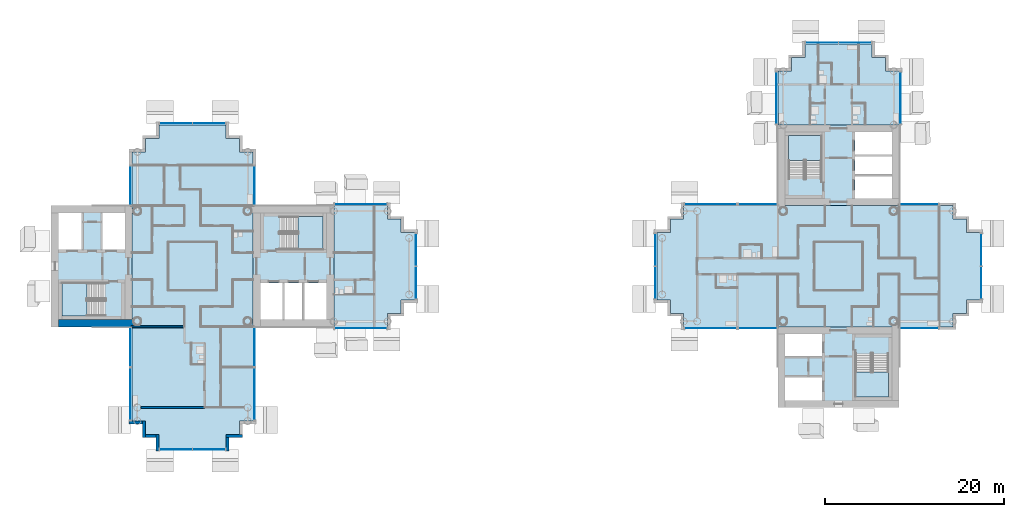
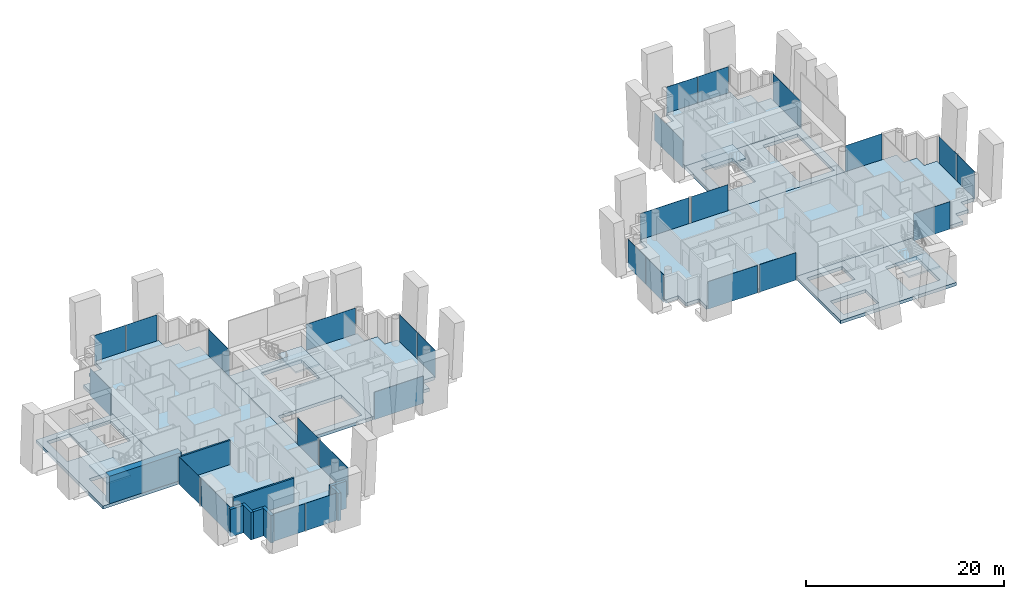
# One storey, part 5 of 18: 28 plates, 12 slabs, 9 walls, 26 elements without a shape of their own.
"""IFC4 building model written with IfcOpenShell, lengths in metres."""

import ifcopenshell
import ifcopenshell.guid

model = None  # the IFC model being written
_history = None  # IfcOwnerHistory: only IFC2X3 demands one
_inside = {}  # id of a spatial element -> (the spatial element, [elements in it])
_under = {}  # id of a project, library or spatial element -> (it, [spatial elements below it])
_declared = {}  # id of a project -> (the project, [libraries it declares])
_typed = {}  # id of a type object -> (the type object, [elements of that type])
_made_of = {}  # id of a material, layer set ... -> (it, [elements and type objects made of it])


def new_model(schema):
    """Start an empty IFC model of exactly this schema.

    Asked for "IFC4X3", IfcOpenShell would pick the latest addendum, in which some entities
    have other attributes; the version numbers below select the first issue.
    IFC2X3 requires an IfcOwnerHistory on every rooted entity: one is made here for all.
    """
    global model, _history
    if schema == "IFC4X3":
        model = ifcopenshell.file(schema_version=(4, 3, 0, 0))
    else:
        model = ifcopenshell.file(schema=schema)
    _inside.clear()
    _under.clear()
    _declared.clear()
    _typed.clear()
    _made_of.clear()
    _history = None
    if model.schema == "IFC2X3":
        org = make("IfcOrganization", Name="unknown")
        user = make(
            "IfcPersonAndOrganization",
            ThePerson=make("IfcPerson", FamilyName="unknown"),
            TheOrganization=org,
        )
        app = make(
            "IfcApplication",
            ApplicationDeveloper=org,
            Version="unknown",
            ApplicationFullName="unknown",
            ApplicationIdentifier="unknown",
        )
        _history = make(
            "IfcOwnerHistory",
            OwningUser=user,
            OwningApplication=app,
            ChangeAction="ADDED",
            CreationDate=0,
        )
    return model


def make(cls, **values):
    """One entity of the class cls with the attributes given. An attribute that is None is left unset."""
    return model.create_entity(
        cls, **{name: value for name, value in values.items() if value is not None}
    )


def rooted(cls, **values):
    """An entity with a GlobalId (a new one), such as an element, a storey or a relation."""
    return make(cls, GlobalId=ifcopenshell.guid.new(), OwnerHistory=_history, **values)


def si_unit(unit_type, name, prefix=None):
    """IfcSIUnit, for example si_unit("LENGTHUNIT", "METRE", prefix="MILLI")."""
    return make("IfcSIUnit", UnitType=unit_type, Prefix=prefix, Name=name)


def assignment(units):
    """IfcUnitAssignment: the units of a project."""
    return None if units is None else make("IfcUnitAssignment", Units=units)


def point(xyz):
    """IfcCartesianPoint."""
    return None if xyz is None else make("IfcCartesianPoint", Coordinates=xyz)


def direction(xyz):
    """IfcDirection."""
    return None if xyz is None else make("IfcDirection", DirectionRatios=xyz)


def frame(location, z_axis=None, x_axis=None):
    """IfcAxis2Placement3D, a coordinate frame: its origin and axes. An axis left out is left unset."""
    return make(
        "IfcAxis2Placement3D",
        Location=point(location),
        Axis=direction(z_axis),
        RefDirection=direction(x_axis),
    )


def frame_2d(location, x_axis=None):
    """IfcAxis2Placement2D, a coordinate frame in the plane: its origin and x axis."""
    return make(
        "IfcAxis2Placement2D", Location=point(location), RefDirection=direction(x_axis)
    )


def origin():
    """The frame at (0, 0, 0) with its axes left unset."""
    return frame((0.0, 0.0, 0.0))


def origin_2d():
    """The frame at (0, 0) in the plane with its x axis left unset."""
    return frame_2d((0.0, 0.0))


def place(relative_to, where):
    """IfcLocalPlacement: puts the frame where relative to a parent placement (None: the world)."""
    return make(
        "IfcLocalPlacement", PlacementRelTo=relative_to, RelativePlacement=where
    )


def context(
    kind, dimensions, precision=None, world=None, true_north=None, identifier=None
):
    """IfcGeometricRepresentationContext, for example the 3D "Model" context."""
    return make(
        "IfcGeometricRepresentationContext",
        ContextIdentifier=identifier,
        ContextType=kind,
        CoordinateSpaceDimension=dimensions,
        Precision=precision,
        WorldCoordinateSystem=world,
        TrueNorth=true_north,
    )


def subcontext(parent, identifier, kind, view, scale=None):
    """IfcGeometricRepresentationSubContext, for example "Body" below "Model"."""
    return make(
        "IfcGeometricRepresentationSubContext",
        ContextIdentifier=identifier,
        ContextType=kind,
        ParentContext=parent,
        TargetScale=scale,
        TargetView=view,
    )


def project(units=None, contexts=None):
    """IfcProject with its units and contexts."""
    return rooted(
        "IfcProject",
        Name="project",
        RepresentationContexts=contexts,
        UnitsInContext=assignment(units),
    )


def spatial(cls, under=None, at=None, **own):
    """A site, building, storey or space (cls), placed at a placement, below another one or the project."""
    s = rooted(cls, ObjectPlacement=at, **own)
    if under is not None:
        _under.setdefault(under.id(), (under, []))[1].append(s)
    return s


def polyline(points):
    """IfcPolyline through the points."""
    return make("IfcPolyline", Points=[point(p) for p in points])


def profile(cls, at=None, kind="AREA", **sizes):
    """A parametric profile (cls). Its sizes go by their IFC names, for example OverallWidth=200.0."""
    return make(cls, ProfileType=kind, Position=at, **sizes)


def rectangle(**sizes):
    """IfcRectangleProfileDef."""
    return profile("IfcRectangleProfileDef", **sizes)


def outline(outer, holes=None, kind="AREA"):
    """IfcArbitraryClosedProfileDef: a profile drawn as a closed curve; with holes, ...WithVoids."""
    if holes is None:
        return make("IfcArbitraryClosedProfileDef", ProfileType=kind, OuterCurve=outer)
    return make(
        "IfcArbitraryProfileDefWithVoids",
        ProfileType=kind,
        OuterCurve=outer,
        InnerCurves=holes,
    )


def extrude(swept, where, along, depth):
    """IfcExtrudedAreaSolid: the profile swept, set in the frame where, extruded along a direction by depth."""
    return make(
        "IfcExtrudedAreaSolid",
        SweptArea=swept,
        Position=where,
        ExtrudedDirection=direction(along),
        Depth=depth,
    )


def shape(context_of_items, identifier, shape_type, items):
    """IfcShapeRepresentation: the items that make up one representation, for example the "Body"."""
    return make(
        "IfcShapeRepresentation",
        ContextOfItems=context_of_items,
        RepresentationIdentifier=identifier,
        RepresentationType=shape_type,
        Items=items,
    )


def material(Name=None, Category=None):
    """IfcMaterial."""
    return make("IfcMaterial", Name=Name, Category=Category)


def layer(
    of_material, thickness, ventilated=None, Name=None, Category=None, Priority=None
):
    """IfcMaterialLayer: one layer of a wall or slab, of a material (None: an air gap)."""
    return make(
        "IfcMaterialLayer",
        Material=of_material,
        LayerThickness=thickness,
        IsVentilated=ventilated,
        Name=Name,
        Category=Category,
        Priority=Priority,
    )


def layer_set(layers, Name=None):
    """IfcMaterialLayerSet."""
    return make("IfcMaterialLayerSet", MaterialLayers=layers, LayerSetName=Name)


def made_of(thing, what):
    """Note that an element or type object is made of a material, layer set ...; save() writes the relation."""
    if what is not None:
        _made_of.setdefault(what.id(), (what, []))[1].append(thing)
    return thing


def type_object(cls, material=None, **own):
    """A type object (cls), such as IfcWallType, which elements share."""
    return made_of(rooted(cls, **own), material)


def element(
    cls,
    number,
    at=None,
    inside=None,
    cuts=None,
    type_object=None,
    material=None,
    context=None,
    identifier="Body",
    shape_type=None,
    held_by="IfcProductDefinitionShape",
    body=None,
    shapes=None,
    **own,
):
    """One element of the class cls, such as IfcWall. Its Tag is "e" and its number.

    at: its placement. inside: the storey or other place that contains it. cuts: it is an
    opening in that element (IfcRelVoidsElement). A single representation is given by context,
    identifier, shape_type and body (its items); several are given by shapes. held_by: the class
    of the entity that holds the representations. save() writes the other relations.
    """
    e = rooted(cls, Tag="e%d" % number, ObjectPlacement=at, **own)
    if body is not None:
        shapes = [shape(context, identifier, shape_type, body)]
    if shapes is not None:
        e.Representation = make(held_by, Representations=shapes)
    if inside is not None:
        _inside.setdefault(inside.id(), (inside, []))[1].append(e)
    if cuts is not None:
        rooted(
            "IfcRelVoidsElement", RelatingBuildingElement=cuts, RelatedOpeningElement=e
        )
    if type_object is not None:
        _typed.setdefault(type_object.id(), (type_object, []))[1].append(e)
    return made_of(e, material)


def aggregate(whole, parts):
    """IfcRelAggregates: a whole, such as a stair, and the parts it consists of."""
    return rooted("IfcRelAggregates", RelatingObject=whole, RelatedObjects=parts)


def save(model, path):
    """Write the relations noted so far, then the file.

    IfcRelAggregates (storeys below a building ...), IfcRelContainedInSpatialStructure (elements
    in a storey), IfcRelDefinesByType, IfcRelAssociatesMaterial and IfcRelDeclares: one each for
    every whole, place, type object, material and project.
    """
    for whole, parts in _under.values():
        aggregate(whole, parts)
    for where, things in _inside.values():
        rooted(
            "IfcRelContainedInSpatialStructure",
            RelatedElements=things,
            RelatingStructure=where,
        )
    for kind, things in _typed.values():
        rooted("IfcRelDefinesByType", RelatedObjects=things, RelatingType=kind)
    for what, things in _made_of.values():
        rooted("IfcRelAssociatesMaterial", RelatedObjects=things, RelatingMaterial=what)
    for by, libraries in _declared.values():
        rooted("IfcRelDeclares", RelatingContext=by, RelatedDefinitions=libraries)
    model.write(path)


model = new_model("IFC4")

# Units and contexts
model_context = context("Model", 3, precision=1e-05, world=origin(), true_north=direction((0.0, 1.0)))
body_context = subcontext(model_context, "Body", "Model", "MODEL_VIEW")
ifc_project = project(units=[si_unit("LENGTHUNIT", "METRE"), si_unit("AREAUNIT", "SQUARE_METRE"), si_unit("VOLUMEUNIT", "CUBIC_METRE"), si_unit("PLANEANGLEUNIT", "RADIAN"), si_unit("MASSUNIT", "GRAM", prefix="KILO")], contexts=[model_context])

# Site, building, storey
site_placement = place(None, origin())
site = spatial("IfcSite", under=ifc_project, at=site_placement, CompositionType="ELEMENT")
building_placement = place(site_placement, origin())
building = spatial("IfcBuilding", under=site, at=building_placement, Name="Ipe Terrace Towers", CompositionType="ELEMENT")
storey_placement = place(building_placement, frame((0.0, 0.0, 171.10009765625)))
storey = spatial("IfcBuildingStorey", under=building, at=storey_placement, Name="L47", CompositionType="ELEMENT", Elevation=171.10009765625)

# Slabs
ifc_material_1 = material(Name="Concrete C30/37", Category="concrete")
ifc_layer_1 = layer(ifc_material_1, 0.39990234375)
ifc_layer_set_1 = layer_set([ifc_layer_1], Name="CORE FLOOR SLAB 400 C30-37")
slab_type_1 = type_object("IfcSlabType", Name="CORE FLOOR SLAB 400 C30-37", PredefinedType="FLOOR", material=ifc_layer_set_1)
slab_1_placement = place(storey_placement, frame((0.0, 0.0, -0.400146484375)))
element("IfcSlab", 1, at=slab_1_placement, inside=storey, type_object=slab_type_1, Name="Core floor T1-C1", PredefinedType="FLOOR", context=body_context, shape_type="SweptSolid", body=[
    extrude(outline(polyline([(-29.25, -6.75), (-29.25, 6.75), (-20.25, 6.75), (-20.25, -6.75), (-29.25, -6.75)]), holes=[polyline([(-28.449951171875, -5.949951171875), (-21.050048828125, -5.949951171875), (-21.050048828125, -1.85009765625), (-28.449951171875, -1.85009765625), (-28.449951171875, -5.949951171875)]), polyline([(-26.199951171875, 5.550048828125), (-26.199951171875, 1.89990234375), (-21.449951171875, 1.89990234375), (-21.449951171875, 5.550048828125), (-26.199951171875, 5.550048828125)])]), origin(), (0.0, 0.0, 1.0), 0.400146484375),
])
slab_2_placement = place(storey_placement, frame((0.0, 0.0, -0.400146484375)))
element("IfcSlab", 2, at=slab_2_placement, inside=storey, type_object=slab_type_1, Name="Core floor T1-C2", PredefinedType="FLOOR", context=body_context, shape_type="SweptSolid", body=[
    extrude(outline(polyline([(-51.75, -6.75), (-51.75, 6.75), (-42.75, 6.75), (-42.75, -6.75), (-51.75, -6.75)]), holes=[polyline([(-45.800048828125, -1.89990234375), (-50.550048828125, -1.89990234375), (-50.550048828125, -5.550048828125), (-45.800048828125, -5.550048828125), (-45.800048828125, -1.89990234375)]), polyline([(-48.25, 1.85009765625), (-48.25, 5.949951171875), (-50.949951171875, 5.949951171875), (-50.949951171875, 1.85009765625), (-48.25, 1.85009765625)]), polyline([(-43.550048828125, 1.85009765625), (-43.550048828125, 5.949951171875), (-46.14990234375, 5.949951171875), (-46.14990234375, 1.85009765625), (-43.550048828125, 1.85009765625)])]), origin(), (0.0, 0.0, 1.0), 0.400146484375),
])
slab_3_placement = place(storey_placement, frame((0.0, 0.0, -0.400146484375)))
element("IfcSlab", 3, at=slab_3_placement, inside=storey, type_object=slab_type_1, Name="Core floor T2-C1", PredefinedType="FLOOR", context=body_context, shape_type="SweptSolid", body=[
    extrude(outline(polyline([(29.25, 6.75), (29.25, 15.75), (42.75, 15.75), (42.75, 6.75), (29.25, 6.75)]), holes=[polyline([(41.949951171875, 7.550048828125), (41.949951171875, 14.949951171875), (37.85009765625, 14.949951171875), (37.85009765625, 7.550048828125), (41.949951171875, 7.550048828125)]), polyline([(30.449951171875, 9.800048828125), (34.10009765625, 9.800048828125), (34.10009765625, 14.550048828125), (30.449951171875, 14.550048828125), (30.449951171875, 9.800048828125)])]), origin(), (0.0, 0.0, 1.0), 0.400146484375),
])
slab_4_placement = place(storey_placement, frame((0.0, 0.0, -0.400146484375)))
element("IfcSlab", 4, at=slab_4_placement, inside=storey, type_object=slab_type_1, Name="Core floor T2-C2", PredefinedType="FLOOR", context=body_context, shape_type="SweptSolid", body=[
    extrude(outline(polyline([(29.25, -15.75), (29.25, -6.75), (42.75, -6.75), (42.75, -15.75), (29.25, -15.75)]), holes=[polyline([(30.050048828125, -12.25), (30.050048828125, -14.949951171875), (34.14990234375, -14.949951171875), (34.14990234375, -12.25), (30.050048828125, -12.25)]), polyline([(41.550048828125, -9.800048828125), (37.89990234375, -9.800048828125), (37.89990234375, -14.550048828125), (41.550048828125, -14.550048828125), (41.550048828125, -9.800048828125)]), polyline([(34.14990234375, -7.550048828125), (30.050048828125, -7.550048828125), (30.050048828125, -10.14990234375), (34.14990234375, -10.14990234375), (34.14990234375, -7.550048828125)])]), origin(), (0.0, 0.0, 1.0), 0.400146484375),
])

# Stair, slab
ifc_material_2 = material(Name="Concrete C30/37", Category="concrete")
stair_type = type_object("IfcStairType", Name="Protected exit stair", PredefinedType="HALF_TURN_STAIR", material=ifc_material_2)
stair_1_placement = place(storey_placement, origin())
stair_1 = element("IfcStair", 5, at=stair_1_placement, inside=storey, type_object=stair_type, Name="L47 Exit stair T1-C1", PredefinedType="HALF_TURN_STAIR")
ifc_material_3 = material(Name="Concrete C30/37", Category="concrete")
ifc_layer_2 = layer(ifc_material_3, 0.199951171875)
ifc_layer_set_2 = layer_set([ifc_layer_2], Name="Exit stair landing 200")
slab_type_2 = type_object("IfcSlabType", Name="Exit stair landing 200", PredefinedType="LANDING", material=ifc_layer_set_2)
slab_5_placement = place(storey_placement, frame((0.0, 0.0, 1.5)))
slab_5 = element("IfcSlab", 6, at=slab_5_placement, type_object=slab_type_2, Name="T1-ST1 landing 1", PredefinedType="LANDING", context=body_context, shape_type="SweptSolid", body=[
    extrude(outline(polyline([(-24.219970703125, 1.89990234375), (-21.449951171875, 1.89990234375), (-21.449951171875, 5.550048828125), (-24.219970703125, 5.550048828125), (-24.219970703125, 1.89990234375)])), origin(), (0.0, 0.0, 1.0), 0.199951171875),
])
aggregate(stair_1, [slab_5])

stair_2_placement = place(storey_placement, origin())
stair_2 = element("IfcStair", 7, at=stair_2_placement, inside=storey, type_object=stair_type, Name="L47 Exit stair T1-C2", PredefinedType="HALF_TURN_STAIR")
slab_6_placement = place(storey_placement, frame((0.0, 0.0, 1.5)))
slab_6 = element("IfcSlab", 8, at=slab_6_placement, type_object=slab_type_2, Name="T1-ST2 landing 1", PredefinedType="LANDING", context=body_context, shape_type="SweptSolid", body=[
    extrude(outline(polyline([(-47.780029296875, -1.89990234375), (-50.550048828125, -1.89990234375), (-50.550048828125, -5.550048828125), (-47.780029296875, -5.550048828125), (-47.780029296875, -1.89990234375)])), origin(), (0.0, 0.0, 1.0), 0.199951171875),
])
aggregate(stair_2, [slab_6])

stair_3_placement = place(storey_placement, origin())
stair_3 = element("IfcStair", 9, at=stair_3_placement, inside=storey, type_object=stair_type, Name="L47 Exit stair T2-C1", PredefinedType="HALF_TURN_STAIR")
slab_7_placement = place(storey_placement, frame((0.0, 0.0, 1.5)))
slab_7 = element("IfcSlab", 10, at=slab_7_placement, type_object=slab_type_2, Name="T2-ST1 landing 1", PredefinedType="LANDING", context=body_context, shape_type="SweptSolid", body=[
    extrude(outline(polyline([(34.10009765625, 11.780029296875), (34.10009765625, 14.550048828125), (30.449951171875, 14.550048828125), (30.449951171875, 11.780029296875), (34.10009765625, 11.780029296875)])), origin(), (0.0, 0.0, 1.0), 0.199951171875),
])
aggregate(stair_3, [slab_7])

stair_4_placement = place(storey_placement, origin())
stair_4 = element("IfcStair", 11, at=stair_4_placement, inside=storey, type_object=stair_type, Name="L47 Exit stair T2-C2", PredefinedType="HALF_TURN_STAIR")
slab_8_placement = place(storey_placement, frame((0.0, 0.0, 1.5)))
slab_8 = element("IfcSlab", 12, at=slab_8_placement, type_object=slab_type_2, Name="T2-ST2 landing 1", PredefinedType="LANDING", context=body_context, shape_type="SweptSolid", body=[
    extrude(outline(polyline([(37.89990234375, -11.780029296875), (37.89990234375, -14.550048828125), (41.550048828125, -14.550048828125), (41.550048828125, -11.780029296875), (37.89990234375, -11.780029296875)])), origin(), (0.0, 0.0, 1.0), 0.199951171875),
])
aggregate(stair_4, [slab_8])

# Slabs
ifc_material_4 = material(Name="Concrete C40/50", Category="concrete")
ifc_layer_3 = layer(ifc_material_4, 0.39990234375)
ifc_layer_set_3 = layer_set([ifc_layer_3], Name="FLAT PLATE SLAB 400 C40-50")
slab_type_3 = type_object("IfcSlabType", Name="FLAT PLATE SLAB 400 C40-50", PredefinedType="FLOOR", material=ifc_layer_set_3)
slab_9_placement = place(storey_placement, frame((0.0, 0.0, -0.400146484375)))
element("IfcSlab", 13, at=slab_9_placement, inside=storey, type_object=slab_type_3, Name="Slab T1-FS-Z31", PredefinedType="FLOOR", context=body_context, shape_type="SweptSolid", body=[
    extrude(outline(polyline([(-30.75, -17.25), (-30.75, -18.75), (-32.25, -18.75), (-32.25, -20.25), (-39.75, -20.25), (-39.75, -18.75), (-41.25, -18.75), (-41.25, -17.25), (-42.75, -17.25), (-42.75, -6.75), (-42.75, 6.75), (-42.75, 12.75), (-41.25, 12.75), (-41.25, 14.25), (-39.75, 14.25), (-39.75, 15.75), (-32.25, 15.75), (-32.25, 14.25), (-30.75, 14.25), (-30.75, 12.75), (-29.25, 12.75), (-29.25, 6.75), (-29.25, -6.75), (-29.25, -17.25), (-30.75, -17.25)])), origin(), (0.0, 0.0, 1.0), 0.400146484375),
])
slab_10_placement = place(storey_placement, frame((0.0, 0.0, -0.400146484375)))
element("IfcSlab", 14, at=slab_10_placement, inside=storey, type_object=slab_type_3, Name="Slab T1-FS-Z32", PredefinedType="FLOOR", context=body_context, shape_type="SweptSolid", body=[
    extrude(outline(polyline([(-14.25, 5.25), (-12.75, 5.25), (-12.75, 3.75), (-11.25, 3.75), (-11.25, -3.75), (-12.75, -3.75), (-12.75, -5.25), (-14.25, -5.25), (-14.25, -6.75), (-20.25, -6.75), (-20.25, 6.75), (-14.25, 6.75), (-14.25, 5.25)])), origin(), (0.0, 0.0, 1.0), 0.400146484375),
])
slab_11_placement = place(storey_placement, frame((0.0, 0.0, -0.400146484375)))
element("IfcSlab", 15, at=slab_11_placement, inside=storey, type_object=slab_type_3, Name="Slab T2-FS-Z31", PredefinedType="FLOOR", context=body_context, shape_type="SweptSolid", body=[
    extrude(outline(polyline([(48.75, 5.25), (50.25, 5.25), (50.25, 3.75), (51.75, 3.75), (51.75, -3.75), (50.25, -3.75), (50.25, -5.25), (48.75, -5.25), (48.75, -6.75), (42.75, -6.75), (29.25, -6.75), (18.75, -6.75), (18.75, -5.25), (17.25, -5.25), (17.25, -3.75), (15.75, -3.75), (15.75, 3.75), (17.25, 3.75), (17.25, 5.25), (18.75, 5.25), (18.75, 6.75), (29.25, 6.75), (42.75, 6.75), (48.75, 6.75), (48.75, 5.25)])), origin(), (0.0, 0.0, 1.0), 0.400146484375),
])
slab_12_placement = place(storey_placement, frame((0.0, 0.0, -0.400146484375)))
element("IfcSlab", 16, at=slab_12_placement, inside=storey, type_object=slab_type_3, Name="Slab T2-FS-Z32", PredefinedType="FLOOR", context=body_context, shape_type="SweptSolid", body=[
    extrude(outline(polyline([(30.75, 21.75), (30.75, 23.25), (32.25, 23.25), (32.25, 24.75), (39.75, 24.75), (39.75, 23.25), (41.25, 23.25), (41.25, 21.75), (42.75, 21.75), (42.75, 15.75), (29.25, 15.75), (29.25, 21.75), (30.75, 21.75)])), origin(), (0.0, 0.0, 1.0), 0.400146484375),
])

# Curtain wall, plate
ifc_material_5 = material(Name="Aluminium alloy 6063-T6", Category="aluminium")
ifc_layer_4 = layer(ifc_material_5, 0.320068359375)
ifc_layer_set_4 = layer_set([ifc_layer_4], Name="TOWER UNITISED CURTAIN WALL")
curtain_wall_type = type_object("IfcCurtainWallType", Name="TOWER UNITISED CURTAIN WALL", PredefinedType="NOTDEFINED", material=ifc_layer_set_4)
curtain_wall_1_placement = place(storey_placement, origin())
curtain_wall_1 = element("IfcCurtainWall", 17, at=curtain_wall_1_placement, inside=storey, type_object=curtain_wall_type, Name="T1-CW-L47-02a curtain wall", PredefinedType="NOTDEFINED")
ifc_material_6 = material(Name="Glass, clear laminated", Category="glass")
ifc_layer_5 = layer(ifc_material_6, 0.031982421875)
ifc_layer_set_5 = layer_set([ifc_layer_5], Name="TOWER UNITISED GLASS PANEL 32")
plate_type = type_object("IfcPlateType", Name="TOWER UNITISED GLASS PANEL 32", PredefinedType="CURTAIN_PANEL", material=ifc_layer_set_5)
plate_1_placement = place(storey_placement, frame((-42.909912109375, -9.0, -0.300048828125), z_axis=(0.0, 0.0, 1.0), x_axis=(0.0, -1.0, 0.0)))
plate_1 = element("IfcPlate", 18, at=plate_1_placement, type_object=plate_type, Name="T1-CW-L47-02a panel 1", PredefinedType="CURTAIN_PANEL", context=body_context, shape_type="SweptSolid", body=[
    extrude(rectangle(XDim=4.260009765625, YDim=0.031982421875, at=origin_2d()), origin(), (0.0, 0.0, 1.0), 3.39990234375),
])
aggregate(curtain_wall_1, [plate_1])

curtain_wall_2_placement = place(storey_placement, origin())
curtain_wall_2 = element("IfcCurtainWall", 19, at=curtain_wall_2_placement, inside=storey, type_object=curtain_wall_type, Name="T1-CW-L47-03a curtain wall", PredefinedType="NOTDEFINED")
plate_2_placement = place(storey_placement, frame((-42.909912109375, -14.25, -0.300048828125), z_axis=(0.0, 0.0, 1.0), x_axis=(0.0, -1.0, 0.0)))
plate_2 = element("IfcPlate", 20, at=plate_2_placement, type_object=plate_type, Name="T1-CW-L47-03a panel 1", PredefinedType="CURTAIN_PANEL", context=body_context, shape_type="SweptSolid", body=[
    extrude(rectangle(XDim=5.760009765625, YDim=0.031982421875, at=origin_2d()), origin(), (0.0, 0.0, 1.0), 3.39990234375),
])
aggregate(curtain_wall_2, [plate_2])

# Curtain wall, plates
curtain_wall_3_placement = place(storey_placement, origin())
curtain_wall_3 = element("IfcCurtainWall", 21, at=curtain_wall_3_placement, inside=storey, type_object=curtain_wall_type, Name="T1-CW-L47-08a curtain wall", PredefinedType="NOTDEFINED")
plate_3_placement = place(storey_placement, frame((-37.831298828125, -20.409912109375, -0.300048828125), z_axis=(0.0, 0.0, 1.0), x_axis=(1.0, 0.0, 0.0)))
plate_3 = element("IfcPlate", 22, at=plate_3_placement, type_object=plate_type, Name="T1-CW-L47-08a panel 1", PredefinedType="CURTAIN_PANEL", context=body_context, shape_type="SweptSolid", body=[
    extrude(rectangle(XDim=3.597412109375, YDim=0.031982421875, at=origin_2d()), origin(), (0.0, 0.0, 1.0), 3.39990234375),
])
plate_4_placement = place(storey_placement, frame((-34.168701171875, -20.409912109375, -0.300048828125), z_axis=(0.0, 0.0, 1.0), x_axis=(1.0, 0.0, 0.0)))
plate_4 = element("IfcPlate", 23, at=plate_4_placement, type_object=plate_type, Name="T1-CW-L47-08a panel 2", PredefinedType="CURTAIN_PANEL", context=body_context, shape_type="SweptSolid", body=[
    extrude(rectangle(XDim=3.597412109375, YDim=0.031982421875, at=origin_2d()), origin(), (0.0, 0.0, 1.0), 3.39990234375),
])
aggregate(curtain_wall_3, [plate_3, plate_4])

# Curtain wall, plate
curtain_wall_4_placement = place(storey_placement, origin())
curtain_wall_4 = element("IfcCurtainWall", 24, at=curtain_wall_4_placement, inside=storey, type_object=curtain_wall_type, Name="T1-CW-L47-13a curtain wall", PredefinedType="NOTDEFINED")
plate_5_placement = place(storey_placement, frame((-29.090087890625, -14.25, -0.300048828125), z_axis=(0.0, 0.0, 1.0), x_axis=(0.0, 1.0, 0.0)))
plate_5 = element("IfcPlate", 25, at=plate_5_placement, type_object=plate_type, Name="T1-CW-L47-13a panel 1", PredefinedType="CURTAIN_PANEL", context=body_context, shape_type="SweptSolid", body=[
    extrude(rectangle(XDim=5.760009765625, YDim=0.031982421875, at=origin_2d()), origin(), (0.0, 0.0, 1.0), 3.39990234375),
])
aggregate(curtain_wall_4, [plate_5])

curtain_wall_5_placement = place(storey_placement, origin())
curtain_wall_5 = element("IfcCurtainWall", 26, at=curtain_wall_5_placement, inside=storey, type_object=curtain_wall_type, Name="T1-CW-L47-14a curtain wall", PredefinedType="NOTDEFINED")
plate_6_placement = place(storey_placement, frame((-29.090087890625, -9.0, -0.300048828125), z_axis=(0.0, 0.0, 1.0), x_axis=(0.0, 1.0, 0.0)))
plate_6 = element("IfcPlate", 27, at=plate_6_placement, type_object=plate_type, Name="T1-CW-L47-14a panel 1", PredefinedType="CURTAIN_PANEL", context=body_context, shape_type="SweptSolid", body=[
    extrude(rectangle(XDim=4.260009765625, YDim=0.031982421875, at=origin_2d()), origin(), (0.0, 0.0, 1.0), 3.39990234375),
])
aggregate(curtain_wall_5, [plate_6])

curtain_wall_6_placement = place(storey_placement, origin())
curtain_wall_6 = element("IfcCurtainWall", 28, at=curtain_wall_6_placement, inside=storey, type_object=curtain_wall_type, Name="T1-CW-L47-16b curtain wall", PredefinedType="NOTDEFINED")
plate_7_placement = place(storey_placement, frame((-17.24951171875, -6.909912109375, -0.300048828125), z_axis=(0.0, 0.0, 1.0), x_axis=(1.0, 0.0, 0.0)))
plate_7 = element("IfcPlate", 29, at=plate_7_placement, type_object=plate_type, Name="T1-CW-L47-16b panel 1", PredefinedType="CURTAIN_PANEL", context=body_context, shape_type="SweptSolid", body=[
    extrude(rectangle(XDim=5.759033203125, YDim=0.031982421875, at=origin_2d()), origin(), (0.0, 0.0, 1.0), 3.39990234375),
])
aggregate(curtain_wall_6, [plate_7])

# Curtain wall, plates
curtain_wall_7_placement = place(storey_placement, origin())
curtain_wall_7 = element("IfcCurtainWall", 30, at=curtain_wall_7_placement, inside=storey, type_object=curtain_wall_type, Name="T1-CW-L47-21a curtain wall", PredefinedType="NOTDEFINED")
plate_8_placement = place(storey_placement, frame((-11.090087890625, -1.831298828125, -0.300048828125), z_axis=(0.0, 0.0, 1.0), x_axis=(0.0, 1.0, 0.0)))
plate_8 = element("IfcPlate", 31, at=plate_8_placement, type_object=plate_type, Name="T1-CW-L47-21a panel 1", PredefinedType="CURTAIN_PANEL", context=body_context, shape_type="SweptSolid", body=[
    extrude(rectangle(XDim=3.597412109375, YDim=0.031982421875, at=origin_2d()), origin(), (0.0, 0.0, 1.0), 3.39990234375),
])
plate_9_placement = place(storey_placement, frame((-11.090087890625, 1.831298828125, -0.300048828125), z_axis=(0.0, 0.0, 1.0), x_axis=(0.0, 1.0, 0.0)))
plate_9 = element("IfcPlate", 32, at=plate_9_placement, type_object=plate_type, Name="T1-CW-L47-21a panel 2", PredefinedType="CURTAIN_PANEL", context=body_context, shape_type="SweptSolid", body=[
    extrude(rectangle(XDim=3.597412109375, YDim=0.031982421875, at=origin_2d()), origin(), (0.0, 0.0, 1.0), 3.39990234375),
])
aggregate(curtain_wall_7, [plate_8, plate_9])

# Curtain wall, plate
curtain_wall_8_placement = place(storey_placement, origin())
curtain_wall_8 = element("IfcCurtainWall", 33, at=curtain_wall_8_placement, inside=storey, type_object=curtain_wall_type, Name="T1-CW-L47-26a curtain wall", PredefinedType="NOTDEFINED")
plate_10_placement = place(storey_placement, frame((-17.24951171875, 6.909912109375, -0.300048828125), z_axis=(0.0, 0.0, 1.0), x_axis=(-1.0, 0.0, 0.0)))
plate_10 = element("IfcPlate", 34, at=plate_10_placement, type_object=plate_type, Name="T1-CW-L47-26a panel 1", PredefinedType="CURTAIN_PANEL", context=body_context, shape_type="SweptSolid", body=[
    extrude(rectangle(XDim=5.759033203125, YDim=0.031982421875, at=origin_2d()), origin(), (0.0, 0.0, 1.0), 3.39990234375),
])
aggregate(curtain_wall_8, [plate_10])

curtain_wall_9_placement = place(storey_placement, origin())
curtain_wall_9 = element("IfcCurtainWall", 35, at=curtain_wall_9_placement, inside=storey, type_object=curtain_wall_type, Name="T1-CW-L47-28a curtain wall", PredefinedType="NOTDEFINED")
plate_11_placement = place(storey_placement, frame((-29.090087890625, 9.0, -0.300048828125), z_axis=(0.0, 0.0, 1.0), x_axis=(0.0, 1.0, 0.0)))
plate_11 = element("IfcPlate", 36, at=plate_11_placement, type_object=plate_type, Name="T1-CW-L47-28a panel 1", PredefinedType="CURTAIN_PANEL", context=body_context, shape_type="SweptSolid", body=[
    extrude(rectangle(XDim=4.260009765625, YDim=0.031982421875, at=origin_2d()), origin(), (0.0, 0.0, 1.0), 3.39990234375),
])
aggregate(curtain_wall_9, [plate_11])

# Curtain wall, plates
curtain_wall_10_placement = place(storey_placement, origin())
curtain_wall_10 = element("IfcCurtainWall", 37, at=curtain_wall_10_placement, inside=storey, type_object=curtain_wall_type, Name="T1-CW-L47-34a curtain wall", PredefinedType="NOTDEFINED")
plate_12_placement = place(storey_placement, frame((-34.168701171875, 15.909912109375, -0.300048828125), z_axis=(0.0, 0.0, 1.0), x_axis=(-1.0, 0.0, 0.0)))
plate_12 = element("IfcPlate", 38, at=plate_12_placement, type_object=plate_type, Name="T1-CW-L47-34a panel 1", PredefinedType="CURTAIN_PANEL", context=body_context, shape_type="SweptSolid", body=[
    extrude(rectangle(XDim=3.597412109375, YDim=0.031982421875, at=origin_2d()), origin(), (0.0, 0.0, 1.0), 3.39990234375),
])
plate_13_placement = place(storey_placement, frame((-37.831298828125, 15.909912109375, -0.300048828125), z_axis=(0.0, 0.0, 1.0), x_axis=(-1.0, 0.0, 0.0)))
plate_13 = element("IfcPlate", 39, at=plate_13_placement, type_object=plate_type, Name="T1-CW-L47-34a panel 2", PredefinedType="CURTAIN_PANEL", context=body_context, shape_type="SweptSolid", body=[
    extrude(rectangle(XDim=3.597412109375, YDim=0.031982421875, at=origin_2d()), origin(), (0.0, 0.0, 1.0), 3.39990234375),
])
aggregate(curtain_wall_10, [plate_12, plate_13])

# Curtain wall, plate
curtain_wall_11_placement = place(storey_placement, origin())
curtain_wall_11 = element("IfcCurtainWall", 40, at=curtain_wall_11_placement, inside=storey, type_object=curtain_wall_type, Name="T1-CW-L47-40a curtain wall", PredefinedType="NOTDEFINED")
plate_14_placement = place(storey_placement, frame((-42.909912109375, 9.0, -0.300048828125), z_axis=(0.0, 0.0, 1.0), x_axis=(0.0, -1.0, 0.0)))
plate_14 = element("IfcPlate", 41, at=plate_14_placement, type_object=plate_type, Name="T1-CW-L47-40a panel 1", PredefinedType="CURTAIN_PANEL", context=body_context, shape_type="SweptSolid", body=[
    extrude(rectangle(XDim=4.260009765625, YDim=0.031982421875, at=origin_2d()), origin(), (0.0, 0.0, 1.0), 3.39990234375),
])
aggregate(curtain_wall_11, [plate_14])

curtain_wall_12_placement = place(storey_placement, origin())
curtain_wall_12 = element("IfcCurtainWall", 42, at=curtain_wall_12_placement, inside=storey, type_object=curtain_wall_type, Name="T2-CW-L47-02a curtain wall", PredefinedType="NOTDEFINED")
plate_15_placement = place(storey_placement, frame((45.0, -6.909912109375, -0.300048828125), z_axis=(0.0, 0.0, 1.0), x_axis=(1.0, 0.0, 0.0)))
plate_15 = element("IfcPlate", 43, at=plate_15_placement, type_object=plate_type, Name="T2-CW-L47-02a panel 1", PredefinedType="CURTAIN_PANEL", context=body_context, shape_type="SweptSolid", body=[
    extrude(rectangle(XDim=4.260009765625, YDim=0.031982421875, at=origin_2d()), origin(), (0.0, 0.0, 1.0), 3.39990234375),
])
aggregate(curtain_wall_12, [plate_15])

# Curtain wall, plates
curtain_wall_13_placement = place(storey_placement, origin())
curtain_wall_13 = element("IfcCurtainWall", 44, at=curtain_wall_13_placement, inside=storey, type_object=curtain_wall_type, Name="T2-CW-L47-08a curtain wall", PredefinedType="NOTDEFINED")
plate_16_placement = place(storey_placement, frame((51.909912109375, -1.831298828125, -0.300048828125), z_axis=(0.0, 0.0, 1.0), x_axis=(0.0, 1.0, 0.0)))
plate_16 = element("IfcPlate", 45, at=plate_16_placement, type_object=plate_type, Name="T2-CW-L47-08a panel 1", PredefinedType="CURTAIN_PANEL", context=body_context, shape_type="SweptSolid", body=[
    extrude(rectangle(XDim=3.597412109375, YDim=0.031982421875, at=origin_2d()), origin(), (0.0, 0.0, 1.0), 3.39990234375),
])
plate_17_placement = place(storey_placement, frame((51.909912109375, 1.831298828125, -0.300048828125), z_axis=(0.0, 0.0, 1.0), x_axis=(0.0, 1.0, 0.0)))
plate_17 = element("IfcPlate", 46, at=plate_17_placement, type_object=plate_type, Name="T2-CW-L47-08a panel 2", PredefinedType="CURTAIN_PANEL", context=body_context, shape_type="SweptSolid", body=[
    extrude(rectangle(XDim=3.597412109375, YDim=0.031982421875, at=origin_2d()), origin(), (0.0, 0.0, 1.0), 3.39990234375),
])
aggregate(curtain_wall_13, [plate_16, plate_17])

# Curtain wall, plate
curtain_wall_14_placement = place(storey_placement, origin())
curtain_wall_14 = element("IfcCurtainWall", 47, at=curtain_wall_14_placement, inside=storey, type_object=curtain_wall_type, Name="T2-CW-L47-14a curtain wall", PredefinedType="NOTDEFINED")
plate_18_placement = place(storey_placement, frame((45.0, 6.909912109375, -0.300048828125), z_axis=(0.0, 0.0, 1.0), x_axis=(-1.0, 0.0, 0.0)))
plate_18 = element("IfcPlate", 48, at=plate_18_placement, type_object=plate_type, Name="T2-CW-L47-14a panel 1", PredefinedType="CURTAIN_PANEL", context=body_context, shape_type="SweptSolid", body=[
    extrude(rectangle(XDim=4.260009765625, YDim=0.031982421875, at=origin_2d()), origin(), (0.0, 0.0, 1.0), 3.39990234375),
])
aggregate(curtain_wall_14, [plate_18])

curtain_wall_15_placement = place(storey_placement, origin())
curtain_wall_15 = element("IfcCurtainWall", 49, at=curtain_wall_15_placement, inside=storey, type_object=curtain_wall_type, Name="T2-CW-L47-16b curtain wall", PredefinedType="NOTDEFINED")
plate_19_placement = place(storey_placement, frame((42.909912109375, 18.75048828125, -0.300048828125), z_axis=(0.0, 0.0, 1.0), x_axis=(0.0, 1.0, 0.0)))
plate_19 = element("IfcPlate", 50, at=plate_19_placement, type_object=plate_type, Name="T2-CW-L47-16b panel 1", PredefinedType="CURTAIN_PANEL", context=body_context, shape_type="SweptSolid", body=[
    extrude(rectangle(XDim=5.759033203125, YDim=0.031982421875, at=origin_2d()), origin(), (0.0, 0.0, 1.0), 3.39990234375),
])
aggregate(curtain_wall_15, [plate_19])

# Curtain wall, plates
curtain_wall_16_placement = place(storey_placement, origin())
curtain_wall_16 = element("IfcCurtainWall", 51, at=curtain_wall_16_placement, inside=storey, type_object=curtain_wall_type, Name="T2-CW-L47-21a curtain wall", PredefinedType="NOTDEFINED")
plate_20_placement = place(storey_placement, frame((37.831298828125, 24.909912109375, -0.300048828125), z_axis=(0.0, 0.0, 1.0), x_axis=(-1.0, 0.0, 0.0)))
plate_20 = element("IfcPlate", 52, at=plate_20_placement, type_object=plate_type, Name="T2-CW-L47-21a panel 1", PredefinedType="CURTAIN_PANEL", context=body_context, shape_type="SweptSolid", body=[
    extrude(rectangle(XDim=3.597412109375, YDim=0.031982421875, at=origin_2d()), origin(), (0.0, 0.0, 1.0), 3.39990234375),
])
plate_21_placement = place(storey_placement, frame((34.168701171875, 24.909912109375, -0.300048828125), z_axis=(0.0, 0.0, 1.0), x_axis=(-1.0, 0.0, 0.0)))
plate_21 = element("IfcPlate", 53, at=plate_21_placement, type_object=plate_type, Name="T2-CW-L47-21a panel 2", PredefinedType="CURTAIN_PANEL", context=body_context, shape_type="SweptSolid", body=[
    extrude(rectangle(XDim=3.597412109375, YDim=0.031982421875, at=origin_2d()), origin(), (0.0, 0.0, 1.0), 3.39990234375),
])
aggregate(curtain_wall_16, [plate_20, plate_21])

# Curtain wall, plate
curtain_wall_17_placement = place(storey_placement, origin())
curtain_wall_17 = element("IfcCurtainWall", 54, at=curtain_wall_17_placement, inside=storey, type_object=curtain_wall_type, Name="T2-CW-L47-26a curtain wall", PredefinedType="NOTDEFINED")
plate_22_placement = place(storey_placement, frame((29.090087890625, 18.75048828125, -0.300048828125), z_axis=(0.0, 0.0, 1.0), x_axis=(0.0, -1.0, 0.0)))
plate_22 = element("IfcPlate", 55, at=plate_22_placement, type_object=plate_type, Name="T2-CW-L47-26a panel 1", PredefinedType="CURTAIN_PANEL", context=body_context, shape_type="SweptSolid", body=[
    extrude(rectangle(XDim=5.759033203125, YDim=0.031982421875, at=origin_2d()), origin(), (0.0, 0.0, 1.0), 3.39990234375),
])
aggregate(curtain_wall_17, [plate_22])

curtain_wall_18_placement = place(storey_placement, origin())
curtain_wall_18 = element("IfcCurtainWall", 56, at=curtain_wall_18_placement, inside=storey, type_object=curtain_wall_type, Name="T2-CW-L47-28a curtain wall", PredefinedType="NOTDEFINED")
plate_23_placement = place(storey_placement, frame((27.0, 6.909912109375, -0.300048828125), z_axis=(0.0, 0.0, 1.0), x_axis=(-1.0, 0.0, 0.0)))
plate_23 = element("IfcPlate", 57, at=plate_23_placement, type_object=plate_type, Name="T2-CW-L47-28a panel 1", PredefinedType="CURTAIN_PANEL", context=body_context, shape_type="SweptSolid", body=[
    extrude(rectangle(XDim=4.260009765625, YDim=0.031982421875, at=origin_2d()), origin(), (0.0, 0.0, 1.0), 3.39990234375),
])
aggregate(curtain_wall_18, [plate_23])

curtain_wall_19_placement = place(storey_placement, origin())
curtain_wall_19 = element("IfcCurtainWall", 58, at=curtain_wall_19_placement, inside=storey, type_object=curtain_wall_type, Name="T2-CW-L47-29a curtain wall", PredefinedType="NOTDEFINED")
plate_24_placement = place(storey_placement, frame((21.75, 6.909912109375, -0.300048828125), z_axis=(0.0, 0.0, 1.0), x_axis=(-1.0, 0.0, 0.0)))
plate_24 = element("IfcPlate", 59, at=plate_24_placement, type_object=plate_type, Name="T2-CW-L47-29a panel 1", PredefinedType="CURTAIN_PANEL", context=body_context, shape_type="SweptSolid", body=[
    extrude(rectangle(XDim=5.760009765625, YDim=0.031982421875, at=origin_2d()), origin(), (0.0, 0.0, 1.0), 3.39990234375),
])
aggregate(curtain_wall_19, [plate_24])

# Curtain wall, plates
curtain_wall_20_placement = place(storey_placement, origin())
curtain_wall_20 = element("IfcCurtainWall", 60, at=curtain_wall_20_placement, inside=storey, type_object=curtain_wall_type, Name="T2-CW-L47-34a curtain wall", PredefinedType="NOTDEFINED")
plate_25_placement = place(storey_placement, frame((15.590087890625, 1.831298828125, -0.300048828125), z_axis=(0.0, 0.0, 1.0), x_axis=(0.0, -1.0, 0.0)))
plate_25 = element("IfcPlate", 61, at=plate_25_placement, type_object=plate_type, Name="T2-CW-L47-34a panel 1", PredefinedType="CURTAIN_PANEL", context=body_context, shape_type="SweptSolid", body=[
    extrude(rectangle(XDim=3.597412109375, YDim=0.031982421875, at=origin_2d()), origin(), (0.0, 0.0, 1.0), 3.39990234375),
])
plate_26_placement = place(storey_placement, frame((15.590087890625, -1.831298828125, -0.300048828125), z_axis=(0.0, 0.0, 1.0), x_axis=(0.0, -1.0, 0.0)))
plate_26 = element("IfcPlate", 62, at=plate_26_placement, type_object=plate_type, Name="T2-CW-L47-34a panel 2", PredefinedType="CURTAIN_PANEL", context=body_context, shape_type="SweptSolid", body=[
    extrude(rectangle(XDim=3.597412109375, YDim=0.031982421875, at=origin_2d()), origin(), (0.0, 0.0, 1.0), 3.39990234375),
])
aggregate(curtain_wall_20, [plate_25, plate_26])

# Curtain wall, plate
curtain_wall_21_placement = place(storey_placement, origin())
curtain_wall_21 = element("IfcCurtainWall", 63, at=curtain_wall_21_placement, inside=storey, type_object=curtain_wall_type, Name="T2-CW-L47-39a curtain wall", PredefinedType="NOTDEFINED")
plate_27_placement = place(storey_placement, frame((21.75, -6.909912109375, -0.300048828125), z_axis=(0.0, 0.0, 1.0), x_axis=(1.0, 0.0, 0.0)))
plate_27 = element("IfcPlate", 64, at=plate_27_placement, type_object=plate_type, Name="T2-CW-L47-39a panel 1", PredefinedType="CURTAIN_PANEL", context=body_context, shape_type="SweptSolid", body=[
    extrude(rectangle(XDim=5.760009765625, YDim=0.031982421875, at=origin_2d()), origin(), (0.0, 0.0, 1.0), 3.39990234375),
])
aggregate(curtain_wall_21, [plate_27])

curtain_wall_22_placement = place(storey_placement, origin())
curtain_wall_22 = element("IfcCurtainWall", 65, at=curtain_wall_22_placement, inside=storey, type_object=curtain_wall_type, Name="T2-CW-L47-40a curtain wall", PredefinedType="NOTDEFINED")
plate_28_placement = place(storey_placement, frame((27.0, -6.909912109375, -0.300048828125), z_axis=(0.0, 0.0, 1.0), x_axis=(1.0, 0.0, 0.0)))
plate_28 = element("IfcPlate", 66, at=plate_28_placement, type_object=plate_type, Name="T2-CW-L47-40a panel 1", PredefinedType="CURTAIN_PANEL", context=body_context, shape_type="SweptSolid", body=[
    extrude(rectangle(XDim=4.260009765625, YDim=0.031982421875, at=origin_2d()), origin(), (0.0, 0.0, 1.0), 3.39990234375),
])
aggregate(curtain_wall_22, [plate_28])

# Walls
ifc_material_7 = material(Name="Concrete C40/50 with buff precast cladding", Category="concrete")
ifc_layer_6 = layer(ifc_material_7, 0.320068359375)
ifc_layer_set_6 = layer_set([ifc_layer_6], Name="BUFF CLADDING WALL 320")
wall_type_1 = type_object("IfcWallType", Name="BUFF CLADDING WALL 320", PredefinedType="STANDARD", material=ifc_layer_set_6)
wall_1_placement = place(storey_placement, frame((-43.070068359375, -17.409912109375, -0.300048828125), z_axis=(0.0, 0.0, 1.0), x_axis=(1.0, 0.0, 0.0)))
element("IfcWall", 67, at=wall_1_placement, inside=storey, type_object=wall_type_1, Name="T1-W-L47-04a wall", PredefinedType="STANDARD", context=body_context, shape_type="SweptSolid", body=[
    extrude(rectangle(XDim=1.5, YDim=0.320068359375, at=frame_2d((0.75, 0.0))), origin(), (0.0, 0.0, 1.0), 3.39990234375),
])
wall_2_placement = place(storey_placement, frame((-41.409912109375, -17.25, -0.300048828125), z_axis=(0.0, 0.0, 1.0), x_axis=(0.0, -1.0, 0.0)))
element("IfcWall", 68, at=wall_2_placement, inside=storey, type_object=wall_type_1, Name="T1-W-L47-05a wall", PredefinedType="STANDARD", context=body_context, shape_type="SweptSolid", body=[
    extrude(rectangle(XDim=1.820068359375, YDim=0.320068359375, at=frame_2d((0.91015625, 0.0))), origin(), (0.0, 0.0, 1.0), 3.39990234375),
])
wall_3_placement = place(storey_placement, frame((-41.25, -18.909912109375, -0.300048828125), z_axis=(0.0, 0.0, 1.0), x_axis=(1.0, 0.0, 0.0)))
element("IfcWall", 69, at=wall_3_placement, inside=storey, type_object=wall_type_1, Name="T1-W-L47-06a wall", PredefinedType="STANDARD", context=body_context, shape_type="SweptSolid", body=[
    extrude(rectangle(XDim=1.179931640625, YDim=0.320068359375, at=frame_2d((0.58984375, 0.0))), origin(), (0.0, 0.0, 1.0), 3.39990234375),
])
wall_4_placement = place(storey_placement, frame((-39.909912109375, -18.75, -0.300048828125), z_axis=(0.0, 0.0, 1.0), x_axis=(0.0, -1.0, 0.0)))
element("IfcWall", 70, at=wall_4_placement, inside=storey, type_object=wall_type_1, Name="T1-W-L47-07a wall", PredefinedType="STANDARD", context=body_context, shape_type="SweptSolid", body=[
    extrude(rectangle(XDim=1.820068359375, YDim=0.320068359375, at=frame_2d((0.91015625, 0.0))), origin(), (0.0, 0.0, 1.0), 3.39990234375),
])
wall_5_placement = place(storey_placement, frame((-32.090087890625, -20.570068359375, -0.300048828125), z_axis=(0.0, 0.0, 1.0), x_axis=(0.0, 1.0, 0.0)))
element("IfcWall", 71, at=wall_5_placement, inside=storey, type_object=wall_type_1, Name="T1-W-L47-09a wall", PredefinedType="STANDARD", context=body_context, shape_type="SweptSolid", body=[
    extrude(rectangle(XDim=1.5, YDim=0.320068359375, at=frame_2d((0.75, 0.0))), origin(), (0.0, 0.0, 1.0), 3.39990234375),
])
wall_6_placement = place(storey_placement, frame((-32.25, -18.909912109375, -0.300048828125), z_axis=(0.0, 0.0, 1.0), x_axis=(1.0, 0.0, 0.0)))
element("IfcWall", 72, at=wall_6_placement, inside=storey, type_object=wall_type_1, Name="T1-W-L47-10a wall", PredefinedType="STANDARD", context=body_context, shape_type="SweptSolid", body=[
    extrude(rectangle(XDim=1.820068359375, YDim=0.320068359375, at=frame_2d((0.91015625, 0.0))), origin(), (0.0, 0.0, 1.0), 3.39990234375),
])
ifc_material_8 = material(Name="Gypsum board party wall", Category="plasterboard")
ifc_layer_7 = layer(ifc_material_8, 0.199951171875)
ifc_layer_set_7 = layer_set([ifc_layer_7], Name="Gypsum board party wall 200 mm")
wall_type_2 = type_object("IfcWallType", Name="Gypsum board party wall 200 mm", PredefinedType="SOLIDWALL", material=ifc_layer_set_7)
wall_7_placement = place(storey_placement, frame((-41.75, -15.75, 0.0), z_axis=(0.0, 0.0, 1.0), x_axis=(1.0, 0.0, 0.0)))
element("IfcWall", 73, at=wall_7_placement, inside=storey, type_object=wall_type_2, Name="Gypsum board party wall T1 L47 W21", PredefinedType="SOLIDWALL", context=body_context, shape_type="SweptSolid", body=[
    extrude(rectangle(XDim=7.10009765625, YDim=0.199951171875, at=frame_2d((3.550048828125, 0.0))), origin(), (0.0, 0.0, 1.0), 3.0),
])
wall_8_placement = place(storey_placement, frame((-42.85009765625, -6.75, 0.0), z_axis=(0.0, 0.0, 1.0), x_axis=(1.0, 0.0, 0.0)))
element("IfcWall", 74, at=wall_8_placement, inside=storey, type_object=wall_type_2, Name="Gypsum board party wall T1 L47 W26", PredefinedType="SOLIDWALL", context=body_context, shape_type="SweptSolid", body=[
    extrude(rectangle(XDim=5.9501953125, YDim=0.199951171875, at=frame_2d((2.97509765625, 0.0))), origin(), (0.0, 0.0, 1.0), 3.0),
])
ifc_material_9 = material(Name="Concrete C50/60", Category="concrete")
ifc_layer_8 = layer(ifc_material_9, 0.800048828125)
ifc_layer_set_8 = layer_set([ifc_layer_8], Name="RW800 CORE WALL 800 C50-60")
wall_type_3 = type_object("IfcWallType", Name="RW800 CORE WALL 800 C50-60", PredefinedType="SHEAR", material=ifc_layer_set_8)
wall_9_placement = place(storey_placement, frame((-50.949951171875, -6.35009765625, 0.0), z_axis=(0.0, 0.0, 1.0), x_axis=(1.0, 0.0, 0.0)))
element("IfcWall", 75, at=wall_9_placement, inside=storey, type_object=wall_type_3, Name="Core wall T1-C2-Z3-W01", PredefinedType="SHEAR", context=body_context, shape_type="SweptSolid", body=[
    extrude(rectangle(XDim=8.39794921875, YDim=0.800048828125, at=frame_2d((4.198974609375, 0.0))), origin(), (0.0, 0.0, 1.0), 3.39990234375),
])

save(model, "model.ifc")
